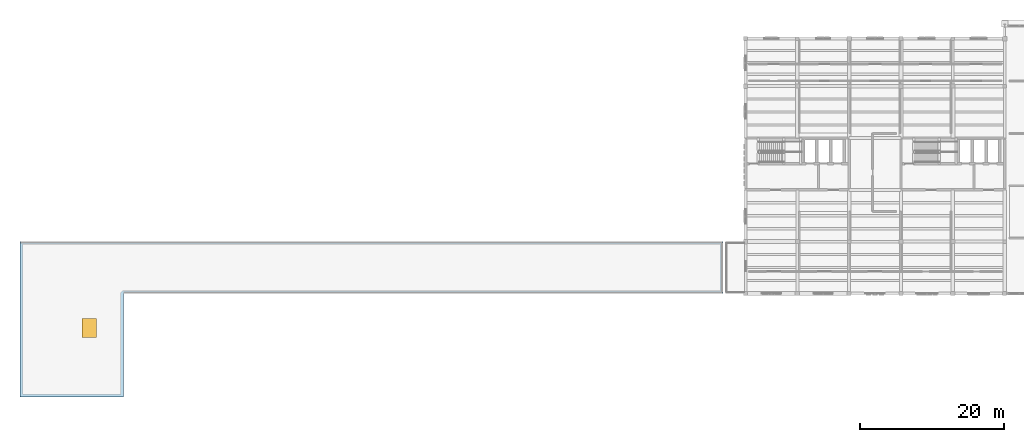
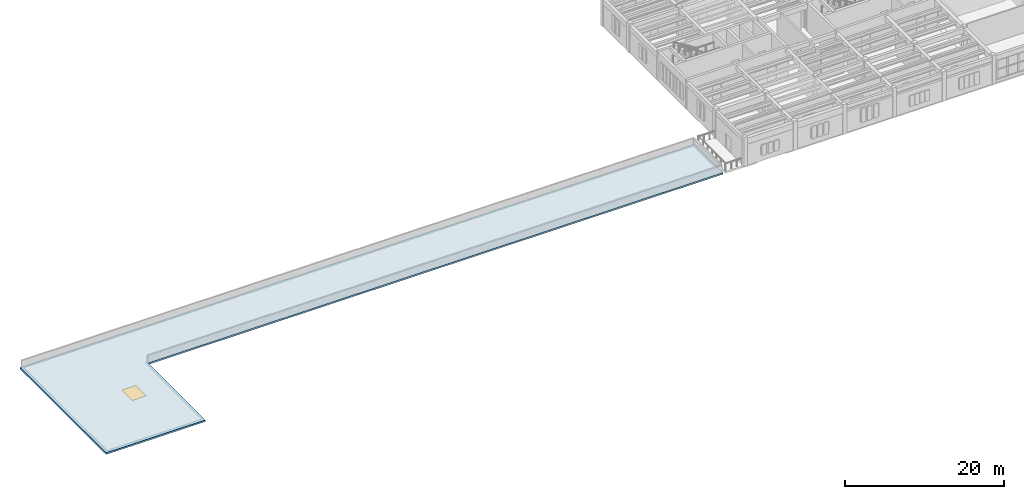
# One storey, part 8 of 18: 1 slab, 1 window, 1 opening.
"""IFC4 building model written with IfcOpenShell, lengths in metres."""

from ifc_helpers import new_model, si_unit, direction, frame, origin, origin_2d, place, context, subcontext, project, spatial, polyline, rectangle, outline, extrude, material, layer, layer_set, type_object, element, fill, save


model = new_model("IFC4")

# Units and contexts
model_context = context("Model", 3, precision=1e-05, world=origin(), true_north=direction((0.0, 1.0)))
body_context = subcontext(model_context, "Body", "Model", "MODEL_VIEW")
ifc_project = project(units=[si_unit("LENGTHUNIT", "METRE"), si_unit("AREAUNIT", "SQUARE_METRE"), si_unit("VOLUMEUNIT", "CUBIC_METRE"), si_unit("PLANEANGLEUNIT", "RADIAN"), si_unit("MASSUNIT", "GRAM", prefix="KILO")], contexts=[model_context])

# Site, building, storey
site_placement = place(None, origin())
site = spatial("IfcSite", under=ifc_project, at=site_placement, CompositionType="ELEMENT")
building_placement = place(site_placement, origin())
building = spatial("IfcBuilding", under=site, at=building_placement, Name="Mithqara Police Headquarters", CompositionType="ELEMENT")
storey_placement = place(building_placement, frame((0.0, 0.0, 26.39990234375)))
storey = spatial("IfcBuildingStorey", under=building, at=storey_placement, Name="L06", CompositionType="ELEMENT", Elevation=26.39990234375)

# Slab, opening, window
ifc_material_1 = material(Name="Concrete C40/50", Category="concrete")
ifc_layer = layer(ifc_material_1, 0.25, Name="Concrete C40/50")
ifc_layer_set = layer_set([ifc_layer], Name="Concrete C40/50")
slab_type = type_object("IfcSlabType", Name="ROOF SLAB 250", PredefinedType="ROOF", material=ifc_layer_set)
slab_placement = place(storey_placement, frame((0.0, 0.0, -0.25)))
slab = element("IfcSlab", 1, at=slab_placement, inside=storey, type_object=slab_type, Name="L06 Flat Insulated Roof over L05 Wing 1", PredefinedType="ROOF", context=body_context, shape_type="SweptSolid", body=[
    extrude(outline(polyline([(7.800048828125, 78.60009765625), (7.800048828125, 85.800048828125), (105.449951171875, 85.800048828125), (105.449951171875, 78.60009765625), (22.199951171875, 78.60009765625), (22.199951171875, 64.199951171875), (7.800048828125, 64.199951171875), (7.800048828125, 78.60009765625)]), holes=[polyline([(16.39990234375, 72.5), (18.39990234375, 72.5), (18.39990234375, 75.10009765625), (16.39990234375, 75.10009765625), (16.39990234375, 72.5)])]), origin(), (0.0, 0.0, 1.0), 0.25),
])
opening_placement = place(slab_placement, frame((17.39990234375, 73.800048828125, -0.010009765625)))
opening = element("IfcOpeningElement", 2, at=opening_placement, cuts=slab, Name="Opening SK-04", PredefinedType="OPENING", context=body_context, shape_type="SweptSolid", body=[
    extrude(rectangle(XDim=2.0, YDim=2.60009765625, at=origin_2d()), origin(), (0.0, 0.0, 1.0), 0.27001953125),
])
ifc_material_2 = material(Name="Spectrally selective double low-e glass", Category="glass")
window_type = type_object("IfcWindowType", Name="SKYLIGHT 2000X2600", PartitioningType="SINGLE_PANEL", PredefinedType="SKYLIGHT", material=ifc_material_2)
window_placement = place(opening_placement, frame((0.0, 0.0, 0.2099609375)))
window = element("IfcWindow", 3, at=window_placement, inside=storey, type_object=window_type, Name="L06 Roof Daylight Skylight and Access Hatch 12", OverallHeight=2.60009765625, OverallWidth=2.0, PartitioningType="SINGLE_PANEL", PredefinedType="SKYLIGHT", context=body_context, shape_type="SweptSolid", body=[
    extrude(rectangle(XDim=2.0, YDim=2.60009765625, at=origin_2d()), origin(), (0.0, 0.0, 1.0), 0.050048828125),
])
fill(opening, window)

save(model, "model.ifc")
